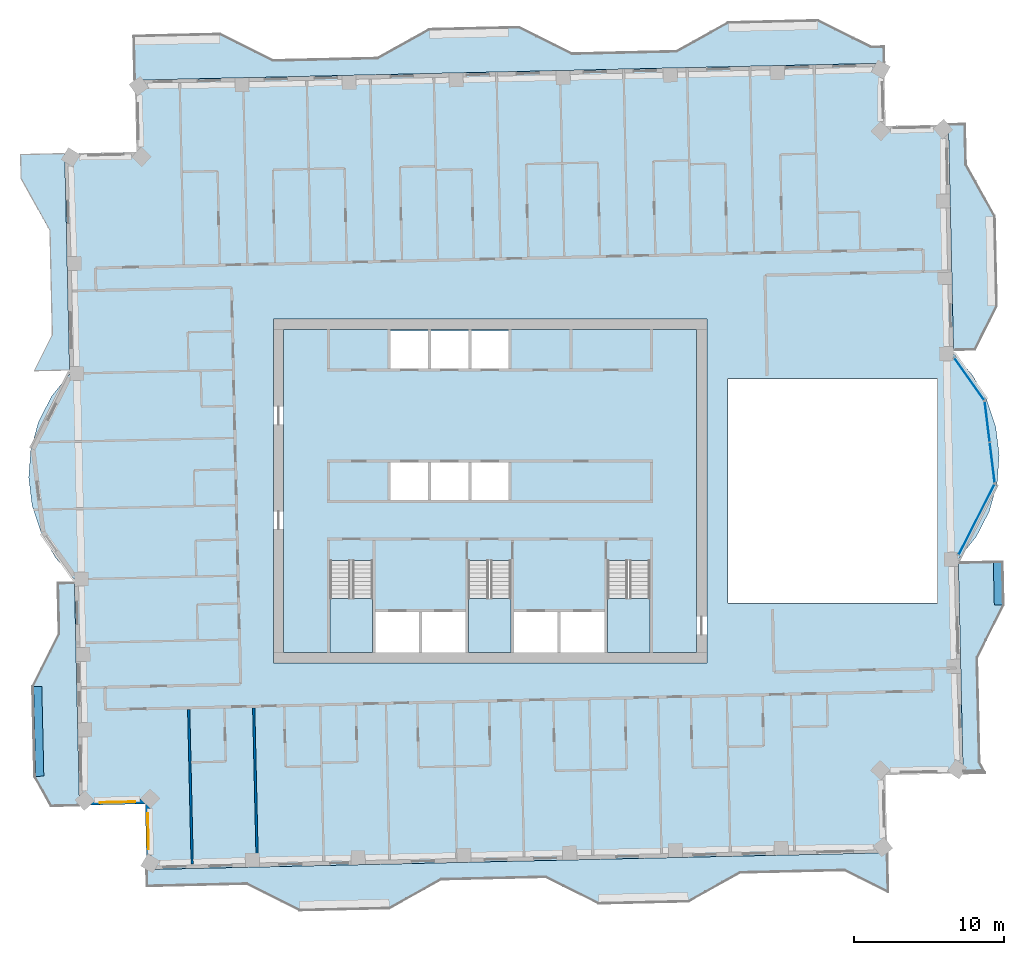
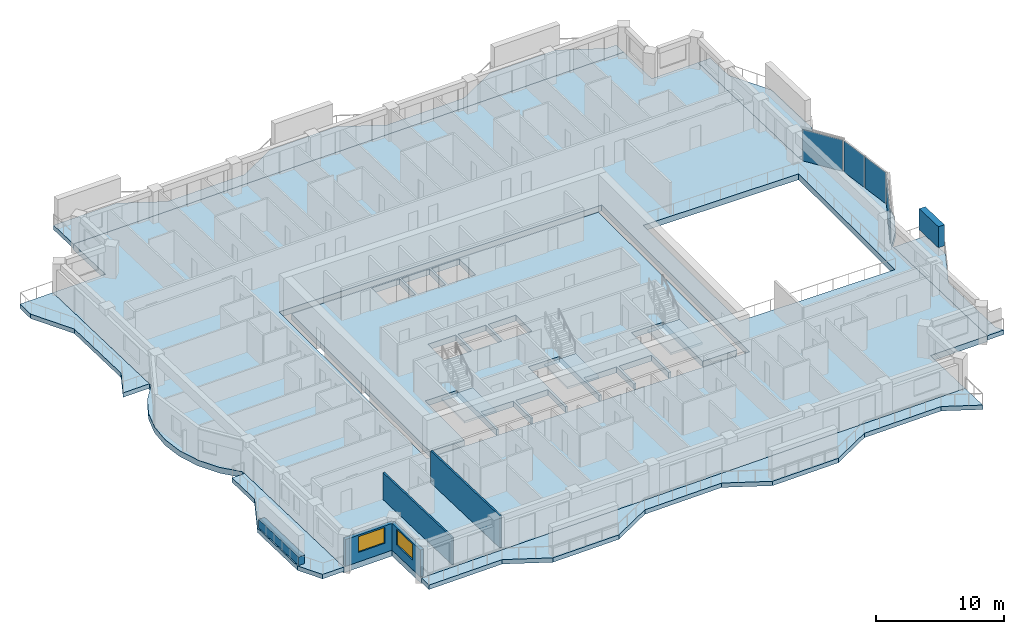
# One storey, part 5 of 18: 11 slabs, 5 walls, 4 plates, 2 windows, 1 member, 2 openings, 6 elements without a shape of their own.
"""IFC4 building model written with IfcOpenShell, lengths in metres."""

from ifc_helpers import new_model, si_unit, direction, frame, frame_2d, origin, origin_2d, place, context, subcontext, project, spatial, polyline, rectangle, outline, extrude, material, layer, layer_set, material_profile, profile_set, type_object, element, fill, aggregate, save


model = new_model("IFC4")

# Units and contexts
model_context = context("Model", 3, precision=1e-05, world=origin(), true_north=direction((0.0, 1.0)))
body_context = subcontext(model_context, "Body", "Model", "MODEL_VIEW")
ifc_project = project(units=[si_unit("LENGTHUNIT", "METRE"), si_unit("AREAUNIT", "SQUARE_METRE"), si_unit("VOLUMEUNIT", "CUBIC_METRE"), si_unit("PLANEANGLEUNIT", "RADIAN"), si_unit("MASSUNIT", "GRAM", prefix="KILO")], contexts=[model_context])

# Site, building, storey
site_placement = place(None, origin())
site = spatial("IfcSite", under=ifc_project, at=site_placement, CompositionType="ELEMENT")
building_placement = place(site_placement, origin())
building = spatial("IfcBuilding", under=site, at=building_placement, Name="Mangrove Gate Tower", CompositionType="ELEMENT")
storey_placement = place(building_placement, frame((0.0, 0.0, 290.699951171875)))
storey = spatial("IfcBuildingStorey", under=building, at=storey_placement, Name="L74", CompositionType="ELEMENT", Elevation=290.699951171875)

# Member
ifc_material_1 = material(Name="Planting on aluminium trellis", Category="aluminium")
ifc_material_profile = material_profile(ifc_material_1, rectangle(XDim=0.550048828125, YDim=2.0, at=origin_2d()))
ifc_profile_set = profile_set([ifc_material_profile], Name="Planting on aluminium trellis")
member_type = type_object("IfcMemberType", Name="Balcony greenery screen 550x2000", PredefinedType="USERDEFINED", material=ifc_profile_set)
member_placement = place(storey_placement, frame((34.001953125, -7.616943359375, 1.800048828125), z_axis=(-0.022929749512, 0.99973707873, 0.0), x_axis=(-0.99973707873, -0.022929749512, 0.0)))
element("IfcMember", 1, at=member_placement, inside=storey, type_object=member_type, Name="GREEN SCREEN L74 E0.1", ObjectType="PLANTING", PredefinedType="USERDEFINED", context=body_context, shape_type="SweptSolid", body=[
    extrude(rectangle(XDim=0.550048828125, YDim=2.0, at=origin_2d()), origin(), (0.0, 0.0, 1.0), 2.874755859375),
])

# Curtain wall, plate
ifc_material_2 = material(Name="Aluminium and glass curtain wall", Category="aluminium")
curtain_wall_type = type_object("IfcCurtainWallType", Name="Atrium garden-court glazing wall", PredefinedType="NOTDEFINED", material=ifc_material_2)
curtain_wall_1_placement = place(storey_placement, origin())
curtain_wall_1 = element("IfcCurtainWall", 2, at=curtain_wall_1_placement, inside=storey, type_object=curtain_wall_type, Name="Atrium garden-court glazing E1f1", PredefinedType="NOTDEFINED")
ifc_material_3 = material(Name="Laminated low-e glass", Category="glass")
ifc_layer_1 = layer(ifc_material_3, 0.031982421875)
ifc_layer_set_1 = layer_set([ifc_layer_1], Name="Atrium garden-court glazing panel 32")
plate_type = type_object("IfcPlateType", Name="Atrium garden-court glazing panel 32", PredefinedType="CURTAIN_PANEL", material=ifc_layer_set_1)
plate_1_placement = place(storey_placement, frame((32.542236328125, -1.90087890625, 0.0), z_axis=(0.0, 0.0, 1.0), x_axis=(0.452617386511, 0.891704828644, 0.0)))
plate_1 = element("IfcPlate", 3, at=plate_1_placement, type_object=plate_type, Name="CWA panel 1.1", PredefinedType="CURTAIN_PANEL", context=body_context, shape_type="SweptSolid", body=[
    extrude(rectangle(XDim=5.258544921875, YDim=0.031982421875, at=origin_2d()), origin(), (0.0, 0.0, 1.0), 2.97998046875),
])
aggregate(curtain_wall_1, [plate_1])

# Curtain wall, plates
curtain_wall_2_placement = place(storey_placement, origin())
curtain_wall_2 = element("IfcCurtainWall", 4, at=curtain_wall_2_placement, inside=storey, type_object=curtain_wall_type, Name="Atrium garden-court glazing E1f2", PredefinedType="NOTDEFINED")
plate_2_placement = place(storey_placement, frame((33.591552734375, 1.90625, 0.0), z_axis=(0.0, 0.0, 1.0), x_axis=(-0.122172285885, 0.992508908051, 0.0)))
plate_2 = element("IfcPlate", 5, at=plate_2_placement, type_object=plate_type, Name="CWA panel 1.1", PredefinedType="CURTAIN_PANEL", context=body_context, shape_type="SweptSolid", body=[
    extrude(rectangle(XDim=2.681640625, YDim=0.031982421875, at=origin_2d()), origin(), (0.0, 0.0, 1.0), 2.97998046875),
])
plate_3_placement = place(storey_placement, frame((33.25537109375, 4.637451171875, 0.0), z_axis=(0.0, 0.0, 1.0), x_axis=(-0.122172285885, 0.992508908051, 0.0)))
plate_3 = element("IfcPlate", 6, at=plate_3_placement, type_object=plate_type, Name="CWA panel 2.1", PredefinedType="CURTAIN_PANEL", context=body_context, shape_type="SweptSolid", body=[
    extrude(rectangle(XDim=2.681640625, YDim=0.031982421875, at=origin_2d()), origin(), (0.0, 0.0, 1.0), 2.97998046875),
])
aggregate(curtain_wall_2, [plate_2, plate_3])

# Curtain wall, plate
curtain_wall_3_placement = place(storey_placement, origin())
curtain_wall_3 = element("IfcCurtainWall", 7, at=curtain_wall_3_placement, inside=storey, type_object=curtain_wall_type, Name="Atrium garden-court glazing E1f3", PredefinedType="NOTDEFINED")
plate_4_placement = place(storey_placement, frame((32.05126953125, 7.493896484375, 0.0), z_axis=(0.0, 0.0, 1.0), x_axis=(-0.578135022674, 0.815941110349, 0.0)))
plate_4 = element("IfcPlate", 8, at=plate_4_placement, type_object=plate_type, Name="CWA panel 1.1", PredefinedType="CURTAIN_PANEL", context=body_context, shape_type="SweptSolid", body=[
    extrude(rectangle(XDim=3.42919921875, YDim=0.031982421875, at=origin_2d()), origin(), (0.0, 0.0, 1.0), 2.97998046875),
])
aggregate(curtain_wall_3, [plate_4])

# Slabs
ifc_material_4 = material(Name="Porcelain tile")
ifc_layer_2 = layer(ifc_material_4, 0.02001953125, Name="Tile finish")
ifc_material_5 = material(Name="Cement sand screed")
ifc_layer_3 = layer(ifc_material_5, 0.0400390625, Name="Screed laid to falls")
ifc_material_6 = material(Name="Bituminous waterproofing membrane")
ifc_layer_4 = layer(ifc_material_6, 0.00390625, Name="Waterproofing")
ifc_material_7 = material(Name="Concrete C40/50", Category="concrete")
ifc_layer_5 = layer(ifc_material_7, 0.340087890625, Name="Balcony structural slab")
ifc_material_8 = material(Name="Limestone", Category="masonry")
ifc_layer_6 = layer(ifc_material_8, 0.01611328125, Name="Soffit lining")
ifc_layer_set_2 = layer_set([ifc_layer_2, ifc_layer_3, ifc_layer_4, ifc_layer_5, ifc_layer_6], Name="Balcony slab 420 C40/50")
slab_type_1 = type_object("IfcSlabType", Name="Balcony slab 420 C40/50", PredefinedType="FLOOR", material=ifc_layer_set_2)
slab_1_placement = place(storey_placement, frame((0.0, 0.0, -0.419921875)))
element("IfcSlab", 9, at=slab_1_placement, inside=storey, type_object=slab_type_1, Name="BALCONY L74 E0", PredefinedType="FLOOR", context=body_context, shape_type="SweptSolid", body=[
    extrude(outline(polyline([(33.15087890625, -18.839111328125), (32.764892578125, -18.14794921875), (32.60595703125, -11.14990234375), (34.3759765625, -7.60888671875), (34.31103515625, -4.735107421875), (31.322021484375, -4.802978515625), (31.386962890625, -7.677001953125), (31.467041015625, -11.176025390625), (31.625, -18.174072265625), (31.64111328125, -18.8740234375), (33.15087890625, -18.839111328125)])), origin(), (0.0, 0.0, 1.0), 0.419921875),
])
slab_2_placement = place(storey_placement, frame((0.0, 0.0, -0.419921875)))
element("IfcSlab", 10, at=slab_2_placement, inside=storey, type_object=slab_type_1, Name="BALCONY L74 E1", PredefinedType="FLOOR", context=body_context, shape_type="SweptSolid", body=[
    extrude(outline(polyline([(32.468994140625, 9.47802734375), (33.923095703125, 12.385986328125), (33.787109375, 18.385009765625), (31.85791015625, 21.842041015625), (31.7958984375, 24.541015625), (30.656982421875, 24.514892578125), (30.718017578125, 21.81591796875), (30.797119140625, 18.31689453125), (30.93408203125, 12.318115234375), (30.9990234375, 9.444091796875), (32.468994140625, 9.47802734375)])), origin(), (0.0, 0.0, 1.0), 0.419921875),
])
slab_3_placement = place(storey_placement, frame((0.0, 0.0, -0.419921875)))
element("IfcSlab", 11, at=slab_3_placement, inside=storey, type_object=slab_type_1, Name="BALCONY L74 N0", PredefinedType="FLOOR", context=body_context, shape_type="SweptSolid", body=[
    extrude(outline(polyline([(26.3369140625, 29.758056640625), (25.468994140625, 29.739013671875), (21.927978515625, 31.509033203125), (15.928955078125, 31.373046875), (12.471923828125, 29.444091796875), (5.47412109375, 29.284912109375), (1.93310546875, 31.054931640625), (-4.06494140625, 30.9189453125), (-7.52294921875, 28.989990234375), (-14.52099609375, 28.83203125), (-18.06201171875, 30.60107421875), (-23.827880859375, 30.470947265625), (-23.760986328125, 27.48095703125), (26.363037109375, 28.618896484375), (26.3369140625, 29.758056640625)])), origin(), (0.0, 0.0, 1.0), 0.419921875),
])
slab_4_placement = place(storey_placement, frame((0.0, 0.0, -0.419921875)))
element("IfcSlab", 12, at=slab_4_placement, inside=storey, type_object=slab_type_1, Name="BALCONY L74 W0", PredefinedType="FLOOR", context=body_context, shape_type="SweptSolid", body=[
    extrude(outline(polyline([(-31.43994140625, 22.506103515625), (-31.403076171875, 20.906005859375), (-29.47412109375, 17.448974609375), (-29.31591796875, 10.450927734375), (-30.51708984375, 8.048095703125), (-28.1220703125, 8.10302734375), (-28.176025390625, 10.47705078125), (-28.3349609375, 17.47509765625), (-28.4140625, 20.97412109375), (-28.449951171875, 22.573974609375), (-31.43994140625, 22.506103515625)])), origin(), (0.0, 0.0, 1.0), 0.419921875),
])
slab_5_placement = place(storey_placement, frame((0.0, 0.0, -0.419921875)))
element("IfcSlab", 13, at=slab_5_placement, inside=storey, type_object=slab_type_1, Name="BALCONY L74 W1", PredefinedType="FLOOR", context=body_context, shape_type="SweptSolid", body=[
    extrude(outline(polyline([(-28.93798828125, -6.169921875), (-28.862060546875, -9.5439453125), (-30.632080078125, -13.0849609375), (-30.49609375, -19.083984375), (-29.39404296875, -21.05908203125), (-27.4609375, -21.014892578125), (-27.507080078125, -19.01611328125), (-27.64306640625, -13.01708984375), (-27.721923828125, -9.51806640625), (-27.799072265625, -6.14404296875), (-28.93798828125, -6.169921875)])), origin(), (0.0, 0.0, 1.0), 0.419921875),
])
slab_6_placement = place(storey_placement, frame((0.0, 0.0, -0.419921875)))
element("IfcSlab", 14, at=slab_6_placement, inside=storey, type_object=slab_type_1, Name="BALCONY L74 S0", PredefinedType="FLOOR", context=body_context, shape_type="SweptSolid", body=[
    extrude(outline(polyline([(-22.93701171875, -26.4541015625), (-16.27001953125, -26.302978515625), (-12.72900390625, -28.072998046875), (-6.73095703125, -27.93701171875), (-3.27392578125, -26.008056640625), (3.72412109375, -25.85009765625), (7.264892578125, -27.618896484375), (13.263916015625, -27.48291015625), (16.720947265625, -25.553955078125), (23.718994140625, -25.39599609375), (26.62109375, -26.845947265625), (26.56103515625, -24.18994140625), (-22.962890625, -25.31396484375), (-22.93701171875, -26.4541015625)])), origin(), (0.0, 0.0, 1.0), 0.419921875),
])
ifc_material_9 = material(Name="Concrete C40/50", Category="concrete")
ifc_layer_7 = layer(ifc_material_9, 0.550048828125)
ifc_layer_set_3 = layer_set([ifc_layer_7], Name="Core floor slab 550 C40/50")
slab_type_2 = type_object("IfcSlabType", Name="Core floor slab 550 C40/50", PredefinedType="FLOOR", material=ifc_layer_set_3)
slab_7_placement = place(storey_placement, frame((0.0, 0.0, -0.550048828125)))
element("IfcSlab", 15, at=slab_7_placement, inside=storey, type_object=slab_type_2, Name="SLAB-L74-CORE-1", PredefinedType="FLOOR", context=body_context, shape_type="SweptSolid", body=[
    extrude(outline(polyline([(-13.800048828125, -10.800048828125), (-13.800048828125, 10.800048828125), (13.800048828125, 10.800048828125), (13.800048828125, -10.800048828125), (10.699951171875, -10.800048828125), (10.699951171875, -4.653076171875), (7.85009765625, -4.653076171875), (7.85009765625, -10.800048828125), (7.64990234375, -10.800048828125), (7.64990234375, -8.10009765625), (4.72509765625, -8.10009765625), (4.72509765625, -10.800048828125), (4.52490234375, -10.800048828125), (4.52490234375, -8.10009765625), (1.60009765625, -8.10009765625), (1.60009765625, -10.800048828125), (1.39990234375, -10.800048828125), (1.39990234375, -4.653076171875), (-1.449951171875, -4.653076171875), (-1.449951171875, -10.800048828125), (-1.64990234375, -10.800048828125), (-1.64990234375, -8.10009765625), (-4.550048828125, -8.10009765625), (-4.550048828125, -10.800048828125), (-4.75, -10.800048828125), (-4.75, -8.10009765625), (-7.64990234375, -8.10009765625), (-7.64990234375, -10.800048828125), (-7.85009765625, -10.800048828125), (-7.85009765625, -4.653076171875), (-10.699951171875, -4.653076171875), (-10.699951171875, -10.800048828125), (-13.800048828125, -10.800048828125)]), holes=[polyline([(-4.14990234375, 1.89990234375), (-6.64990234375, 1.89990234375), (-6.64990234375, -0.60009765625), (-4.14990234375, -0.60009765625), (-4.14990234375, 1.89990234375)]), polyline([(-1.449951171875, -0.60009765625), (-1.449951171875, 1.89990234375), (-3.949951171875, 1.89990234375), (-3.949951171875, -0.60009765625), (-1.449951171875, -0.60009765625)]), polyline([(-4.14990234375, 8.199951171875), (-4.14990234375, 10.699951171875), (-6.64990234375, 10.699951171875), (-6.64990234375, 8.199951171875), (-4.14990234375, 8.199951171875)]), polyline([(-1.449951171875, 10.699951171875), (-3.949951171875, 10.699951171875), (-3.949951171875, 8.199951171875), (-1.449951171875, 8.199951171875), (-1.449951171875, 10.699951171875)]), polyline([(1.25, -0.60009765625), (1.25, 1.89990234375), (-1.25, 1.89990234375), (-1.25, -0.60009765625), (1.25, -0.60009765625)]), polyline([(1.25, 8.199951171875), (1.25, 10.699951171875), (-1.25, 10.699951171875), (-1.25, 8.199951171875), (1.25, 8.199951171875)])]), origin(), (0.0, 0.0, 1.0), 0.550048828125),
])

# Stair, slab
ifc_material_10 = material(Name="Concrete C40/50", Category="concrete")
stair_type = type_object("IfcStairType", Name="Core stair 1350", PredefinedType="HALF_TURN_STAIR", material=ifc_material_10)
stair_1_placement = place(storey_placement, origin())
stair_1 = element("IfcStair", 16, at=stair_1_placement, inside=storey, type_object=stair_type, Name="L74 Stair 1", PredefinedType="HALF_TURN_STAIR")
ifc_material_11 = material(Name="Concrete C40/50", Category="concrete")
ifc_layer_8 = layer(ifc_material_11, 0.199951171875)
ifc_layer_set_4 = layer_set([ifc_layer_8], Name="Core stair landing 200")
slab_type_3 = type_object("IfcSlabType", Name="Core stair landing 200", PredefinedType="LANDING", material=ifc_layer_set_4)
slab_8_placement = place(storey_placement, frame((0.0, 0.0, 1.60009765625)))
slab_8 = element("IfcSlab", 17, at=slab_8_placement, type_object=slab_type_3, Name="ST1 landing 1", PredefinedType="LANDING", context=body_context, shape_type="SweptSolid", body=[
    extrude(outline(polyline([(-10.699951171875, -7.169921875), (-10.699951171875, -10.800048828125), (-7.85009765625, -10.800048828125), (-7.85009765625, -7.169921875), (-10.699951171875, -7.169921875)])), origin(), (0.0, 0.0, 1.0), 0.199951171875),
])
aggregate(stair_1, [slab_8])

stair_2_placement = place(storey_placement, origin())
stair_2 = element("IfcStair", 18, at=stair_2_placement, inside=storey, type_object=stair_type, Name="L74 Stair 2", PredefinedType="HALF_TURN_STAIR")
slab_9_placement = place(storey_placement, frame((0.0, 0.0, 1.60009765625)))
slab_9 = element("IfcSlab", 19, at=slab_9_placement, type_object=slab_type_3, Name="ST2 landing 1", PredefinedType="LANDING", context=body_context, shape_type="SweptSolid", body=[
    extrude(outline(polyline([(-1.449951171875, -7.169921875), (-1.449951171875, -10.800048828125), (1.39990234375, -10.800048828125), (1.39990234375, -7.169921875), (-1.449951171875, -7.169921875)])), origin(), (0.0, 0.0, 1.0), 0.199951171875),
])
aggregate(stair_2, [slab_9])

stair_3_placement = place(storey_placement, origin())
stair_3 = element("IfcStair", 20, at=stair_3_placement, inside=storey, type_object=stair_type, Name="L74 Stair 3", PredefinedType="HALF_TURN_STAIR")
slab_10_placement = place(storey_placement, frame((0.0, 0.0, 1.60009765625)))
slab_10 = element("IfcSlab", 21, at=slab_10_placement, type_object=slab_type_3, Name="ST3 landing 1", PredefinedType="LANDING", context=body_context, shape_type="SweptSolid", body=[
    extrude(outline(polyline([(7.85009765625, -7.169921875), (7.85009765625, -10.800048828125), (10.699951171875, -10.800048828125), (10.699951171875, -7.169921875), (7.85009765625, -7.169921875)])), origin(), (0.0, 0.0, 1.0), 0.199951171875),
])
aggregate(stair_3, [slab_10])

# Slab
ifc_material_12 = material(Name="Concrete C40/50", Category="concrete")
ifc_layer_9 = layer(ifc_material_12, 0.550048828125)
ifc_layer_set_5 = layer_set([ifc_layer_9], Name="Floor slab 550 C40/50")
slab_type_4 = type_object("IfcSlabType", Name="Floor slab 550 C40/50", PredefinedType="FLOOR", material=ifc_layer_set_5)
slab_11_placement = place(storey_placement, frame((0.0, 0.0, -0.550048828125)))
element("IfcSlab", 22, at=slab_11_placement, inside=storey, type_object=slab_type_4, Name="Floor slab L74", PredefinedType="FLOOR", context=body_context, shape_type="SweptSolid", body=[
    extrude(outline(polyline([(-22.962646484375, -25.314208984375), (26.560791015625, -24.1904296875), (26.442626953125, -18.99169921875), (31.641357421875, -18.873779296875), (31.31640625, -4.552734375), (32.512939453125, -3.060302734375), (33.389892578125, -1.360595703125), (33.912353515625, 0.4794921875), (34.0595703125, 2.38671875), (33.825927734375, 4.28515625), (33.220458984375, 6.099365234375), (32.267333984375, 7.7578125), (31.00439453125, 9.1943359375), (30.65673828125, 24.51513671875), (26.457763671875, 24.419921875), (26.362548828125, 28.61865234375), (-23.760498046875, 27.481201171875), (-23.651611328125, 22.6826171875), (-28.450439453125, 22.57373046875), (-28.116455078125, 7.852783203125), (-29.31298828125, 6.3603515625), (-30.18994140625, 4.660400390625), (-30.71240234375, 2.820556640625), (-30.859619140625, 0.913330078125), (-30.6259765625, -0.985107421875), (-30.0205078125, -2.799560546875), (-29.0673828125, -4.457763671875), (-27.804443359375, -5.894287109375), (-27.461181640625, -21.01513671875), (-23.0625, -20.915283203125), (-22.962646484375, -25.314208984375)]), holes=[polyline([(15.89990234375, 7.5), (29.889892578125, 7.5), (29.889892578125, -7.5), (15.89990234375, -7.5), (15.89990234375, 7.5)]), polyline([(-14.5, -11.5), (-14.5, 11.5), (14.5, 11.5), (14.5, -11.5), (-14.5, -11.5)])]), origin(), (0.0, 0.0, 1.0), 0.550048828125),
])

# Wall, opening, window
ifc_layer_10 = layer(ifc_material_8, 0.0400390625, Name="Limestone cladding")
ifc_material_13 = material(Name="Ventilated air gap")
ifc_layer_11 = layer(ifc_material_13, 0.0400390625, Name="Ventilated cavity")
ifc_material_14 = material(Name="Mineral wool insulation")
ifc_layer_12 = layer(ifc_material_14, 0.06005859375, Name="Insulation")
ifc_material_15 = material(Name="Breather membrane")
ifc_layer_13 = layer(ifc_material_15, 0.001953125, Name="Breather membrane")
ifc_material_16 = material(Name="Concrete C20/25 blockwork", Category="masonry")
ifc_layer_14 = layer(ifc_material_16, 0.14990234375, Name="Blockwork backing wall")
ifc_material_17 = material(Name="Gypsum plaster")
ifc_layer_15 = layer(ifc_material_17, 0.008056640625, Name="Internal plaster")
ifc_layer_set_6 = layer_set([ifc_layer_10, ifc_layer_11, ifc_layer_12, ifc_layer_13, ifc_layer_14, ifc_layer_15], Name="External wall 300 limestone cladding")
wall_type_1 = type_object("IfcWallType", Name="External wall 300 limestone cladding", PredefinedType="SOLIDWALL", material=ifc_layer_set_6)
wall_1_placement = place(storey_placement, frame((-27.31494140625, -20.862060546875, 0.0), z_axis=(0.0, 0.0, 1.0), x_axis=(0.999741204967, 0.022749133868, 0.0)))
wall_1 = element("IfcWall", 23, at=wall_1_placement, inside=storey, type_object=wall_type_1, Name="WALL-L74-S11", PredefinedType="SOLIDWALL", context=body_context, shape_type="SweptSolid", body=[
    extrude(rectangle(XDim=4.400146484375, YDim=0.300048828125, at=frame_2d((2.2001953125, 0.0))), origin(), (0.0, 0.0, 1.0), 2.550048828125),
])
opening_1_placement = place(wall_1_placement, frame((1.196044921875, 0.0, 0.89990234375)))
opening_1 = element("IfcOpeningElement", 24, at=opening_1_placement, cuts=wall_1, Name="Opening W2", PredefinedType="OPENING", context=body_context, shape_type="SweptSolid", body=[
    extrude(rectangle(XDim=2.39990234375, YDim=1.5, at=frame_2d((1.199951171875, 0.75))), frame((0.0, 0.159912109375, 0.0), z_axis=(0.0, -1.0, 0.0), x_axis=(1.0, 0.0, 0.0)), (0.0, 0.0, 1.0), 0.320068359375),
])
ifc_material_18 = material(Name="Aluminium frame with double-glazed low-e glass", Category="aluminium")
window_type = type_object("IfcWindowType", Name="Corner room window 2400x1500", PartitioningType="DOUBLE_PANEL_VERTICAL", PredefinedType="WINDOW", material=ifc_material_18)
window_1_placement = place(opening_1_placement, origin())
window_1 = element("IfcWindow", 25, at=window_1_placement, inside=storey, type_object=window_type, Name="WIN-L74-S11-1", OverallHeight=1.5, OverallWidth=2.39990234375, PartitioningType="DOUBLE_PANEL_VERTICAL", PredefinedType="WINDOW", context=body_context, shape_type="SweptSolid", body=[
    extrude(rectangle(XDim=2.39990234375, YDim=1.5, at=frame_2d((1.199951171875, 0.75))), frame((0.0, 0.030029296875, 0.0), z_axis=(0.0, -1.0, 0.0), x_axis=(1.0, 0.0, 0.0)), (0.0, 0.0, 1.0), 0.06005859375),
])
fill(opening_1, window_1)

wall_2_placement = place(storey_placement, frame((-22.916015625, -20.761962890625, 0.0), z_axis=(0.0, 0.0, 1.0), x_axis=(0.022749133868, -0.999741204967, 0.0)))
wall_2 = element("IfcWall", 26, at=wall_2_placement, inside=storey, type_object=wall_type_1, Name="WALL-L74-W12", PredefinedType="SOLIDWALL", context=body_context, shape_type="SweptSolid", body=[
    extrude(rectangle(XDim=4.400146484375, YDim=0.300048828125, at=frame_2d((2.2001953125, 0.0))), origin(), (0.0, 0.0, 1.0), 2.550048828125),
])
opening_2_placement = place(wall_2_placement, frame((0.7890625, 0.0, 0.89990234375)))
opening_2 = element("IfcOpeningElement", 27, at=opening_2_placement, cuts=wall_2, Name="Opening W2", PredefinedType="OPENING", context=body_context, shape_type="SweptSolid", body=[
    extrude(rectangle(XDim=2.39990234375, YDim=1.5, at=frame_2d((1.199951171875, 0.75))), frame((0.0, 0.159912109375, 0.0), z_axis=(0.0, -1.0, 0.0), x_axis=(1.0, 0.0, 0.0)), (0.0, 0.0, 1.0), 0.320068359375),
])
window_2_placement = place(opening_2_placement, origin())
window_2 = element("IfcWindow", 28, at=window_2_placement, inside=storey, type_object=window_type, Name="WIN-L74-W12-1", OverallHeight=1.5, OverallWidth=2.39990234375, PartitioningType="DOUBLE_PANEL_VERTICAL", PredefinedType="WINDOW", context=body_context, shape_type="SweptSolid", body=[
    extrude(rectangle(XDim=2.39990234375, YDim=1.5, at=frame_2d((1.199951171875, 0.75))), frame((0.0, 0.030029296875, 0.0), z_axis=(0.0, -1.0, 0.0), x_axis=(1.0, 0.0, 0.0)), (0.0, 0.0, 1.0), 0.06005859375),
])
fill(opening_2, window_2)

# Walls
ifc_material_19 = material(Name="Gypsum board on steel stud, EI 60", Category="steel")
ifc_layer_16 = layer(ifc_material_19, 0.14990234375)
ifc_layer_set_7 = layer_set([ifc_layer_16], Name="Party wall 150 EI 60")
wall_type_2 = type_object("IfcWallType", Name="Party wall 150 EI 60", PredefinedType="PARTITIONING", material=ifc_layer_set_7)
wall_3_placement = place(storey_placement, frame((-19.922119140625, -24.945068359375, 0.0), z_axis=(0.0, 0.0, 1.0), x_axis=(-0.022692470342, 0.99974249274, 0.0)))
element("IfcWall", 29, at=wall_3_placement, inside=storey, type_object=wall_type_2, Name="WALL-L74-001", PredefinedType="PARTITIONING", context=body_context, shape_type="SweptSolid", body=[
    extrude(rectangle(XDim=10.349853515625, YDim=0.14990234375, at=frame_2d((5.1748046875, 0.0))), origin(), (0.0, 0.0, 1.0), 2.550048828125),
])
wall_4_placement = place(storey_placement, frame((-15.572998046875, -24.846923828125, 0.0), z_axis=(0.0, 0.0, 1.0), x_axis=(-0.022714440015, 0.999741993824, 0.0)))
element("IfcWall", 30, at=wall_4_placement, inside=storey, type_object=wall_type_2, Name="WALL-L74-002", PredefinedType="PARTITIONING", context=body_context, shape_type="SweptSolid", body=[
    extrude(rectangle(XDim=10.3505859375, YDim=0.14990234375, at=frame_2d((5.17529296875, 0.0))), origin(), (0.0, 0.0, 1.0), 3.050048828125),
])
ifc_material_20 = material(Name="Concrete C32/40", Category="concrete")
ifc_layer_17 = layer(ifc_material_20, 0.199951171875, Name="Planter trough wall")
ifc_layer_18 = layer(ifc_material_6, 0.0048828125, Name="Waterproofing")
ifc_material_21 = material(Name="Drainage board and gravel")
ifc_layer_19 = layer(ifc_material_21, 0.044921875, Name="Drainage layer")
ifc_material_22 = material(Name="Planting soil")
ifc_layer_20 = layer(ifc_material_22, 0.300048828125, Name="Growing medium")
ifc_layer_set_8 = layer_set([ifc_layer_17, ifc_layer_18, ifc_layer_19, ifc_layer_20], Name="Planter wall 550 C32/40")
wall_type_3 = type_object("IfcWallType", Name="Planter wall 550 C32/40", PredefinedType="USERDEFINED", material=ifc_layer_set_8)
wall_5_placement = place(storey_placement, frame((-30.12109375, -19.074951171875, 0.0), z_axis=(0.0, 0.0, 1.0), x_axis=(-0.022665943652, 0.999743094499, 0.0)))
element("IfcWall", 31, at=wall_5_placement, inside=storey, type_object=wall_type_3, Name="PLANTER L74 W1.1", ObjectType="PLANTER", PredefinedType="USERDEFINED", context=body_context, shape_type="SweptSolid", body=[
    extrude(rectangle(XDim=5.99951171875, YDim=0.550048828125, at=frame_2d((2.999755859375, 0.0))), origin(), (0.0, 0.0, 1.0), 0.800048828125),
])

save(model, "model.ifc")
